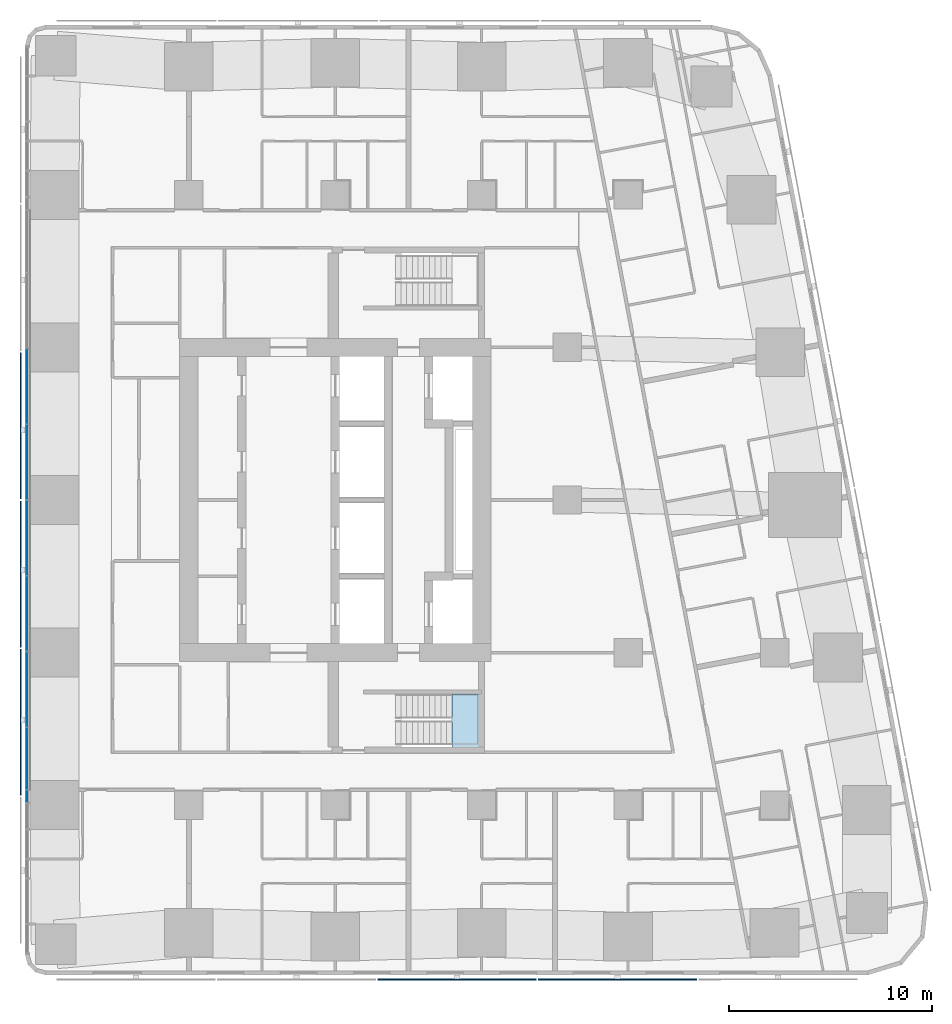
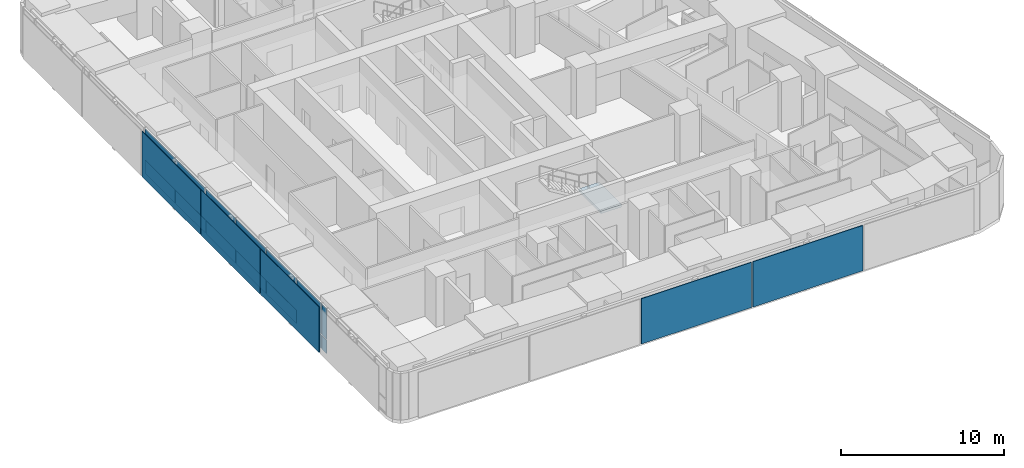
# One storey, part 7 of 19: 19 plates, 1 slab, 2 elements without a shape of their own.
"""IFC4 building model written with IfcOpenShell, lengths in metres."""

from ifc_helpers import new_model, si_unit, direction, frame, origin, origin_2d, place, context, subcontext, project, spatial, polyline, rectangle, outline, extrude, material, layer, layer_set, type_object, element, aggregate, save


model = new_model("IFC4")

# Units and contexts
model_context = context("Model", 3, precision=1e-05, world=origin(), true_north=direction((0.0, 1.0)))
body_context = subcontext(model_context, "Body", "Model", "MODEL_VIEW")
ifc_project = project(units=[si_unit("LENGTHUNIT", "METRE"), si_unit("AREAUNIT", "SQUARE_METRE"), si_unit("VOLUMEUNIT", "CUBIC_METRE"), si_unit("PLANEANGLEUNIT", "RADIAN"), si_unit("MASSUNIT", "GRAM", prefix="KILO")], contexts=[model_context])

# Site, building, storey
site_placement = place(None, origin())
site = spatial("IfcSite", under=ifc_project, at=site_placement, CompositionType="ELEMENT")
building_placement = place(site_placement, origin())
building = spatial("IfcBuilding", under=site, at=building_placement, Name="Sheger Commons Tower", CompositionType="ELEMENT")
storey_placement = place(building_placement, frame((0.0, 0.0, 219.949951171875)))
storey = spatial("IfcBuildingStorey", under=building, at=storey_placement, Name="L56", CompositionType="ELEMENT", Elevation=219.949951171875)

# Curtain wall, plates
ifc_material_1 = material(Name="Black aluminium curtain wall, dark tinted glazing", Category="aluminium")
curtain_wall_type = type_object("IfcCurtainWallType", Name="CURTAIN WALL CW4 GALLERY", PredefinedType="USERDEFINED", material=ifc_material_1)
curtain_wall_placement = place(storey_placement, origin())
curtain_wall = element("IfcCurtainWall", 1, at=curtain_wall_placement, inside=storey, type_object=curtain_wall_type, Name="Curtain Wall Cw4 Gallery W1 L56", ObjectType="UNITISED CURTAIN WALL", PredefinedType="USERDEFINED")
ifc_material_2 = material(Name="Dark tinted double glazing", Category="glass")
ifc_layer_1 = layer(ifc_material_2, 0.031982421875)
ifc_layer_set_1 = layer_set([ifc_layer_1], Name="GLAZED PANEL 32")
plate_type_1 = type_object("IfcPlateType", Name="GLAZED PANEL 32", PredefinedType="CURTAIN_PANEL", material=ifc_layer_set_1)
plate_1_placement = place(storey_placement, frame((6.449951171875, 28.08447265625, 0.065185546875), z_axis=(0.0, 0.0, 1.0), x_axis=(0.0, -1.0, 0.0)))
plate_1 = element("IfcPlate", 2, at=plate_1_placement, type_object=plate_type_1, Name="CW4 panel 9.1", PredefinedType="CURTAIN_PANEL", context=body_context, shape_type="SweptSolid", body=[
    extrude(rectangle(XDim=3.657958984375, YDim=0.031982421875, at=origin_2d()), origin(), (0.0, 0.0, 1.0), 1.00244140625),
])
plate_2_placement = place(storey_placement, frame((6.449951171875, 28.08447265625, 1.13232421875), z_axis=(0.0, 0.0, 1.0), x_axis=(0.0, -1.0, 0.0)))
plate_2 = element("IfcPlate", 3, at=plate_2_placement, type_object=plate_type_1, Name="CW4 panel 9.2", PredefinedType="CURTAIN_PANEL", context=body_context, shape_type="SweptSolid", body=[
    extrude(rectangle(XDim=3.657958984375, YDim=0.031982421875, at=origin_2d()), origin(), (0.0, 0.0, 1.0), 2.302490234375),
])
plate_3_placement = place(storey_placement, frame((6.449951171875, 24.361572265625, 0.065185546875), z_axis=(0.0, 0.0, 1.0), x_axis=(0.0, -1.0, 0.0)))
plate_3 = element("IfcPlate", 4, at=plate_3_placement, type_object=plate_type_1, Name="CW4 panel 10.1", PredefinedType="CURTAIN_PANEL", context=body_context, shape_type="SweptSolid", body=[
    extrude(rectangle(XDim=3.657958984375, YDim=0.031982421875, at=origin_2d()), origin(), (0.0, 0.0, 1.0), 1.00244140625),
])
plate_4_placement = place(storey_placement, frame((6.449951171875, 24.361572265625, 1.13232421875), z_axis=(0.0, 0.0, 1.0), x_axis=(0.0, -1.0, 0.0)))
plate_4 = element("IfcPlate", 5, at=plate_4_placement, type_object=plate_type_1, Name="CW4 panel 10.2", PredefinedType="CURTAIN_PANEL", context=body_context, shape_type="SweptSolid", body=[
    extrude(rectangle(XDim=3.657958984375, YDim=0.031982421875, at=origin_2d()), origin(), (0.0, 0.0, 1.0), 2.302490234375),
])
plate_5_placement = place(storey_placement, frame((6.449951171875, 20.638427734375, 0.065185546875), z_axis=(0.0, 0.0, 1.0), x_axis=(0.0, -1.0, 0.0)))
plate_5 = element("IfcPlate", 6, at=plate_5_placement, type_object=plate_type_1, Name="CW4 panel 11.1", PredefinedType="CURTAIN_PANEL", context=body_context, shape_type="SweptSolid", body=[
    extrude(rectangle(XDim=3.657958984375, YDim=0.031982421875, at=origin_2d()), origin(), (0.0, 0.0, 1.0), 1.00244140625),
])
plate_6_placement = place(storey_placement, frame((6.449951171875, 20.638427734375, 1.13232421875), z_axis=(0.0, 0.0, 1.0), x_axis=(0.0, -1.0, 0.0)))
plate_6 = element("IfcPlate", 7, at=plate_6_placement, type_object=plate_type_1, Name="CW4 panel 11.2", PredefinedType="CURTAIN_PANEL", context=body_context, shape_type="SweptSolid", body=[
    extrude(rectangle(XDim=3.657958984375, YDim=0.031982421875, at=origin_2d()), origin(), (0.0, 0.0, 1.0), 2.302490234375),
])
plate_7_placement = place(storey_placement, frame((6.449951171875, 16.91552734375, 0.065185546875), z_axis=(0.0, 0.0, 1.0), x_axis=(0.0, -1.0, 0.0)))
plate_7 = element("IfcPlate", 8, at=plate_7_placement, type_object=plate_type_1, Name="CW4 panel 12.1", PredefinedType="CURTAIN_PANEL", context=body_context, shape_type="SweptSolid", body=[
    extrude(rectangle(XDim=3.657958984375, YDim=0.031982421875, at=origin_2d()), origin(), (0.0, 0.0, 1.0), 1.00244140625),
])
plate_8_placement = place(storey_placement, frame((6.449951171875, 16.91552734375, 1.13232421875), z_axis=(0.0, 0.0, 1.0), x_axis=(0.0, -1.0, 0.0)))
plate_8 = element("IfcPlate", 9, at=plate_8_placement, type_object=plate_type_1, Name="CW4 panel 12.2", PredefinedType="CURTAIN_PANEL", context=body_context, shape_type="SweptSolid", body=[
    extrude(rectangle(XDim=3.657958984375, YDim=0.031982421875, at=origin_2d()), origin(), (0.0, 0.0, 1.0), 2.302490234375),
])
plate_9_placement = place(storey_placement, frame((6.449951171875, 13.1923828125, 0.065185546875), z_axis=(0.0, 0.0, 1.0), x_axis=(0.0, -1.0, 0.0)))
plate_9 = element("IfcPlate", 10, at=plate_9_placement, type_object=plate_type_1, Name="CW4 panel 13.1", PredefinedType="CURTAIN_PANEL", context=body_context, shape_type="SweptSolid", body=[
    extrude(rectangle(XDim=3.657958984375, YDim=0.031982421875, at=origin_2d()), origin(), (0.0, 0.0, 1.0), 1.00244140625),
])
plate_10_placement = place(storey_placement, frame((6.449951171875, 13.1923828125, 1.13232421875), z_axis=(0.0, 0.0, 1.0), x_axis=(0.0, -1.0, 0.0)))
plate_10 = element("IfcPlate", 11, at=plate_10_placement, type_object=plate_type_1, Name="CW4 panel 13.2", PredefinedType="CURTAIN_PANEL", context=body_context, shape_type="SweptSolid", body=[
    extrude(rectangle(XDim=3.657958984375, YDim=0.031982421875, at=origin_2d()), origin(), (0.0, 0.0, 1.0), 2.302490234375),
])
plate_11_placement = place(storey_placement, frame((6.449951171875, 9.79052734375, 0.065185546875), z_axis=(0.0, 0.0, 1.0), x_axis=(0.0, -1.0, 0.0)))
plate_11 = element("IfcPlate", 12, at=plate_11_placement, type_object=plate_type_1, Name="CW4 panel 14.1", PredefinedType="CURTAIN_PANEL", context=body_context, shape_type="SweptSolid", body=[
    extrude(rectangle(XDim=3.01611328125, YDim=0.031982421875, at=origin_2d()), origin(), (0.0, 0.0, 1.0), 1.00244140625),
])
plate_12_placement = place(storey_placement, frame((6.449951171875, 9.79052734375, 1.13232421875), z_axis=(0.0, 0.0, 1.0), x_axis=(0.0, -1.0, 0.0)))
plate_12 = element("IfcPlate", 13, at=plate_12_placement, type_object=plate_type_1, Name="CW4 panel 14.2", PredefinedType="CURTAIN_PANEL", context=body_context, shape_type="SweptSolid", body=[
    extrude(rectangle(XDim=3.01611328125, YDim=0.031982421875, at=origin_2d()), origin(), (0.0, 0.0, 1.0), 2.302490234375),
])
plate_13_placement = place(storey_placement, frame((6.449951171875, 7.929443359375, 0.065185546875), z_axis=(0.0, 0.0, 1.0), x_axis=(0.0, -1.0, 0.0)))
plate_13 = element("IfcPlate", 14, at=plate_13_placement, type_object=plate_type_1, Name="CW4 panel 15.1", PredefinedType="CURTAIN_PANEL", context=body_context, shape_type="SweptSolid", body=[
    extrude(rectangle(XDim=0.575927734375, YDim=0.031982421875, at=origin_2d()), origin(), (0.0, 0.0, 1.0), 1.00244140625),
])
plate_14_placement = place(storey_placement, frame((6.449951171875, 7.929443359375, 1.13232421875), z_axis=(0.0, 0.0, 1.0), x_axis=(0.0, -1.0, 0.0)))
plate_14 = element("IfcPlate", 15, at=plate_14_placement, type_object=plate_type_1, Name="CW4 panel 15.2", PredefinedType="CURTAIN_PANEL", context=body_context, shape_type="SweptSolid", body=[
    extrude(rectangle(XDim=0.575927734375, YDim=0.031982421875, at=origin_2d()), origin(), (0.0, 0.0, 1.0), 2.302490234375),
])
aggregate(curtain_wall, [plate_1, plate_2, plate_3, plate_4, plate_5, plate_6, plate_7, plate_8, plate_9, plate_10, plate_11, plate_12, plate_13, plate_14])

# Plates
ifc_material_3 = material(Name="Perforated black anodised aluminium screen", Category="aluminium")
ifc_layer_2 = layer(ifc_material_3, 0.050048828125)
ifc_layer_set_2 = layer_set([ifc_layer_2], Name="SOLAR SCREEN SCREEN-1")
plate_type_2 = type_object("IfcPlateType", Name="SOLAR SCREEN SCREEN-1", PredefinedType="USERDEFINED", material=ifc_layer_set_2)
for number, where, z_axis, x_axis, name in (
    (16, (27.577880859375, -1.074951171875, 0.050048828125), (0.0, 0.0, 1.0), (1.0, 0.0, 0.0), "Perforated solar screen panel"),
    (17, (35.468994140625, -1.074951171875, 0.050048828125), (0.0, 0.0, 1.0), (1.0, 0.0, 0.0), "Perforated solar screen panel"),
):
    element("IfcPlate", number, at=place(storey_placement, frame(where, z_axis=z_axis, x_axis=x_axis)), inside=storey, type_object=plate_type_2, Name=name, ObjectType="SCREEN", PredefinedType="USERDEFINED", context=body_context, shape_type="SweptSolid", body=[
        extrude(rectangle(XDim=7.791015625, YDim=0.050048828125, at=origin_2d()), origin(), (0.0, 0.0, 1.0), 3.39990234375),
    ])
for number, where, z_axis, x_axis, name in (
    (18, (6.125, 26.14208984375, 0.050048828125), (0.0, 0.0, 1.0), (0.0, -1.0, 0.0), "Perforated solar screen panel"),
    (19, (6.125, 18.85791015625, 0.050048828125), (0.0, 0.0, 1.0), (0.0, -1.0, 0.0), "Perforated solar screen panel"),
    (20, (6.125, 11.574951171875, 0.050048828125), (0.0, 0.0, 1.0), (0.0, -1.0, 0.0), "Perforated solar screen panel"),
):
    element("IfcPlate", number, at=place(storey_placement, frame(where, z_axis=z_axis, x_axis=x_axis)), inside=storey, type_object=plate_type_2, Name=name, ObjectType="SCREEN", PredefinedType="USERDEFINED", context=body_context, shape_type="SweptSolid", body=[
        extrude(rectangle(XDim=7.18310546875, YDim=0.050048828125, at=origin_2d()), origin(), (0.0, 0.0, 1.0), 3.39990234375),
    ])

# Stair, slab
ifc_material_4 = material(Name="Concrete C35/45", Category="concrete")
stair_type = type_object("IfcStairType", Name="HALF-TURN STAIR 1200 RISE 3750", PredefinedType="HALF_TURN_STAIR", material=ifc_material_4)
stair_placement = place(storey_placement, origin())
stair = element("IfcStair", 21, at=stair_placement, inside=storey, type_object=stair_type, Name="Stair S1 L56", PredefinedType="HALF_TURN_STAIR")
ifc_material_5 = material(Name="Concrete C35/45", Category="concrete")
ifc_layer_3 = layer(ifc_material_5, 0.199951171875)
ifc_layer_set_3 = layer_set([ifc_layer_3], Name="STAIR LANDING 200")
slab_type = type_object("IfcSlabType", Name="STAIR LANDING 200", PredefinedType="LANDING", material=ifc_layer_set_3)
slab_placement = place(storey_placement, frame((0.0, 0.0, 1.675048828125)))
slab = element("IfcSlab", 22, at=slab_placement, type_object=slab_type, Name="S1 landing 1", PredefinedType="LANDING", context=body_context, shape_type="SweptSolid", body=[
    extrude(outline(polyline([(27.35009765625, 10.199951171875), (28.800048828125, 10.199951171875), (28.800048828125, 12.949951171875), (27.35009765625, 12.949951171875), (27.35009765625, 10.199951171875)])), origin(), (0.0, 0.0, 1.0), 0.199951171875),
])
aggregate(stair, [slab])

save(model, "model.ifc")
